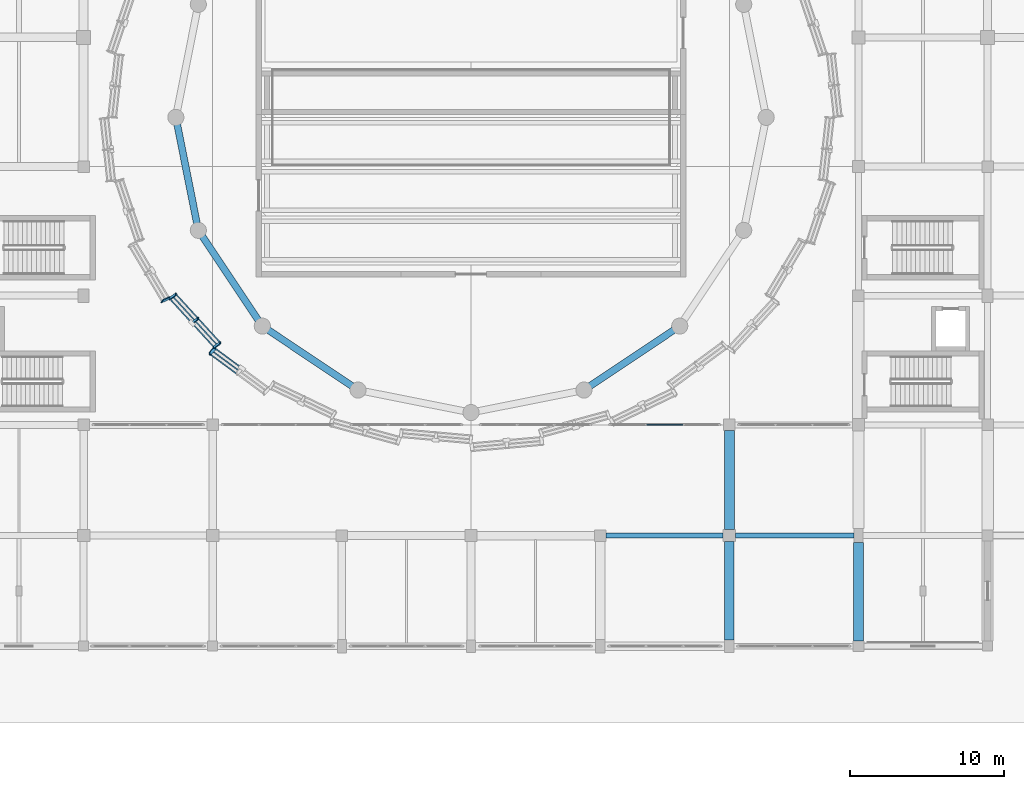
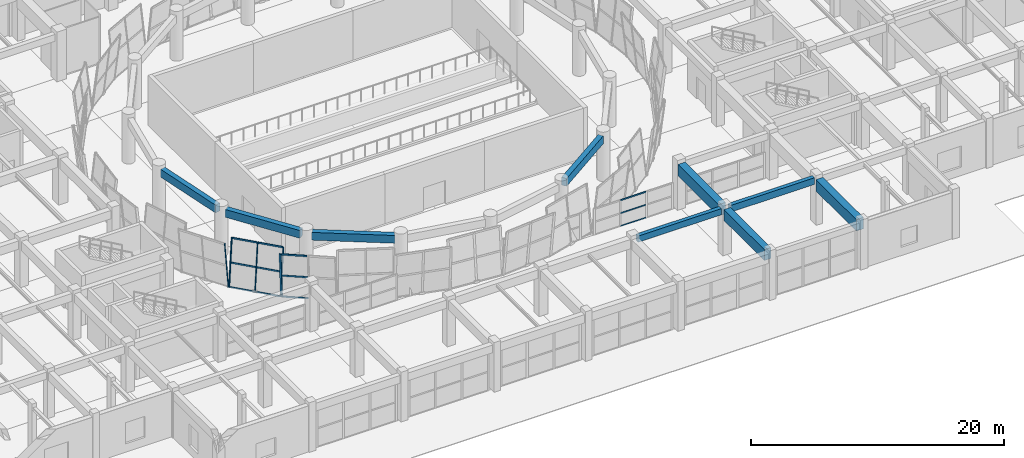
# One storey, part 24 of 72: 17 members, 9 beams, 4 elements without a shape of their own.
"""IFC4 building model written with IfcOpenShell, lengths in metres."""

from ifc_helpers import new_model, si_unit, direction, frame, origin, origin_2d, place, context, subcontext, project, spatial, rectangle, hollow_rectangle, extrude, material, material_profile, profile_set, type_object, element, aggregate, save


model = new_model("IFC4")

# Units and contexts
model_context = context("Model", 3, precision=1e-05, world=origin(), true_north=direction((0.0, 1.0)))
body_context = subcontext(model_context, "Body", "Model", "MODEL_VIEW")
ifc_project = project(units=[si_unit("LENGTHUNIT", "METRE"), si_unit("AREAUNIT", "SQUARE_METRE"), si_unit("VOLUMEUNIT", "CUBIC_METRE"), si_unit("PLANEANGLEUNIT", "RADIAN"), si_unit("MASSUNIT", "GRAM", prefix="KILO")], contexts=[model_context])

# Site, building, storey
site_placement = place(None, origin())
site = spatial("IfcSite", under=ifc_project, at=site_placement, CompositionType="ELEMENT")
building_placement = place(site_placement, origin())
building = spatial("IfcBuilding", under=site, at=building_placement, Name="Korsvaeld Concert Hall", CompositionType="ELEMENT")
storey_placement = place(building_placement, origin())
storey = spatial("IfcBuildingStorey", under=building, at=storey_placement, Name="L00", CompositionType="ELEMENT", Elevation=0.0)

# Beams
ifc_material_1 = material(Name="Concrete C35/45", Category="concrete")
ifc_material_profile_1 = material_profile(ifc_material_1, rectangle(XDim=0.35009765625, YDim=0.60009765625, at=origin_2d()), Name="RC 350x600")
ifc_profile_set_1 = profile_set([ifc_material_profile_1], Name="Concrete C35/45")
beam_type_1 = type_object("IfcBeamType", Name="BM-RC-350x600", PredefinedType="T_BEAM", material=ifc_profile_set_1)
beam_1_placement = place(storey_placement, frame((92.77490234375, 36.0, 4.139892578125), z_axis=(1.0, 0.0, 0.0), x_axis=(0.0, 1.0, 0.0)))
element("IfcBeam", 1, at=beam_1_placement, inside=storey, type_object=beam_type_1, Name="Primary girder 13-14/F L00", PredefinedType="T_BEAM", context=body_context, shape_type="SweptSolid", body=[
    extrude(rectangle(XDim=0.35009765625, YDim=0.60009765625, at=origin_2d()), origin(), (0.0, 0.0, 1.0), 7.625),
])
ifc_material_profile_2 = material_profile(ifc_material_1, rectangle(XDim=0.35009765625, YDim=0.64990234375, at=origin_2d()), Name="RC 350x650")
ifc_profile_set_2 = profile_set([ifc_material_profile_2], Name="Concrete C35/45")
beam_type_2 = type_object("IfcBeamType", Name="BM-RC-350x650", PredefinedType="T_BEAM", material=ifc_profile_set_2)
beam_2_placement = place(storey_placement, frame((101.199951171875, 36.0, 4.114990234375), z_axis=(1.0, 0.0, 0.0), x_axis=(0.0, 1.0, 0.0)))
element("IfcBeam", 2, at=beam_2_placement, inside=storey, type_object=beam_type_2, Name="Primary girder 14-15/F L00", PredefinedType="T_BEAM", context=body_context, shape_type="SweptSolid", body=[
    extrude(rectangle(XDim=0.35009765625, YDim=0.64990234375, at=origin_2d()), origin(), (0.0, 0.0, 1.0), 7.699951171875),
])
ifc_material_profile_3 = material_profile(ifc_material_1, rectangle(XDim=0.449951171875, YDim=0.75, at=origin_2d()), Name="RC 450x750")
ifc_profile_set_3 = profile_set([ifc_material_profile_3], Name="Concrete C35/45")
beam_type_3 = type_object("IfcBeamType", Name="BM-RC-450x750", PredefinedType="T_BEAM", material=ifc_profile_set_3)
for number, where, z_axis, x_axis, name in (
    (3, (64.8876953125, 62.758544921875, 4.06494140625), (0.195090301499, -0.980785284484, 0.0), (0.980785284484, 0.195090301499, 0.0), "Drum ring floor girder L00 09"),
    (4, (66.511474609375, 55.478271484375, 4.06494140625), (0.555588821765, -0.831457191399, 0.0), (0.831457191399, 0.555588821765, 0.0), "Drum ring floor girder L00 10"),
):
    element("IfcBeam", number, at=place(storey_placement, frame(where, z_axis=z_axis, x_axis=x_axis)), inside=storey, type_object=beam_type_3, Name=name, PredefinedType="T_BEAM", context=body_context, shape_type="SweptSolid", body=[
        extrude(rectangle(XDim=0.449951171875, YDim=0.75, at=origin_2d()), origin(), (0.0, 0.0, 1.0), 6.59130859375),
    ])
for number, where, z_axis, x_axis, name in (
    (5, (70.797607421875, 49.37353515625, 4.06494140625), (0.831468624109, -0.555571711953, 0.0), (0.555571711953, 0.831468624109, 0.0), "Drum ring floor girder L00 11"),
    (6, (91.7216796875, 45.71142578125, 4.06494140625), (0.831468624109, 0.555571711953, 0.0), (-0.555571711953, 0.831468624109, 0.0), "Drum ring floor girder L00 14"),
):
    element("IfcBeam", number, at=place(storey_placement, frame(where, z_axis=z_axis, x_axis=x_axis)), inside=storey, type_object=beam_type_3, Name=name, PredefinedType="T_BEAM", context=body_context, shape_type="SweptSolid", body=[
        extrude(rectangle(XDim=0.449951171875, YDim=0.75, at=origin_2d()), origin(), (0.0, 0.0, 1.0), 6.591552734375),
    ])
ifc_material_2 = material(Name="Concrete C40/50", Category="concrete")
ifc_material_profile_4 = material_profile(ifc_material_2, rectangle(XDim=0.60009765625, YDim=1.050048828125, at=origin_2d()), Name="RC 600x1050")
ifc_profile_set_4 = profile_set([ifc_material_profile_4], Name="Concrete C40/50")
beam_type_4 = type_object("IfcBeamType", Name="BM-RC-600x1050", PredefinedType="T_BEAM", material=ifc_profile_set_4)
beam_3_placement = place(storey_placement, frame((100.800048828125, 29.199951171875, 3.9150390625), z_axis=(0.0, 1.0, 0.0), x_axis=(-1.0, 0.0, 0.0)))
element("IfcBeam", 7, at=beam_3_placement, inside=storey, type_object=beam_type_4, Name="Primary girder 14/E-F L00", PredefinedType="T_BEAM", context=body_context, shape_type="SweptSolid", body=[
    extrude(rectangle(XDim=0.60009765625, YDim=1.050048828125, at=origin_2d()), origin(), (0.0, 0.0, 1.0), 6.400146484375),
])
ifc_material_profile_5 = material_profile(ifc_material_2, rectangle(XDim=0.64990234375, YDim=1.10009765625, at=origin_2d()), Name="RC 650x1100")
ifc_profile_set_5 = profile_set([ifc_material_profile_5], Name="Concrete C40/50")
beam_type_5 = type_object("IfcBeamType", Name="BM-RC-650x1100", PredefinedType="T_BEAM", material=ifc_profile_set_5)
beam_4_placement = place(storey_placement, frame((100.800048828125, 36.39990234375, 3.889892578125), z_axis=(0.0, 1.0, 0.0), x_axis=(-1.0, 0.0, 0.0)))
element("IfcBeam", 8, at=beam_4_placement, inside=storey, type_object=beam_type_5, Name="Primary girder 14/F-G L00", PredefinedType="T_BEAM", context=body_context, shape_type="SweptSolid", body=[
    extrude(rectangle(XDim=0.64990234375, YDim=1.10009765625, at=origin_2d()), origin(), (0.0, 0.0, 1.0), 6.425048828125),
])
beam_5_placement = place(storey_placement, frame((109.199951171875, 29.14990234375, 3.889892578125), z_axis=(0.0, 1.0, 0.0), x_axis=(-1.0, 0.0, 0.0)))
element("IfcBeam", 9, at=beam_5_placement, inside=storey, type_object=beam_type_5, Name="Primary girder 15/E-F L00", PredefinedType="T_BEAM", context=body_context, shape_type="SweptSolid", body=[
    extrude(rectangle(XDim=0.64990234375, YDim=1.10009765625, at=origin_2d()), origin(), (0.0, 0.0, 1.0), 6.400146484375),
])

# Curtain wall, members
ifc_material_3 = material(Name="Anodised bronze and ceramic-fritted safety glass", Category="glass")
curtain_wall_type_1 = type_object("IfcCurtainWallType", Name="CW-TYPE-04", PredefinedType="USERDEFINED", material=ifc_material_3)
curtain_wall_1_placement = place(storey_placement, origin())
curtain_wall_1 = element("IfcCurtainWall", 10, at=curtain_wall_1_placement, inside=storey, type_object=curtain_wall_type_1, Name="Crystal curtain-wall facet L00 F20", ObjectType="CURTAIN WALL", PredefinedType="USERDEFINED")
ifc_material_4 = material(Name="Anodised architectural bronze aluminium", Category="aluminium")
ifc_material_profile_6 = material_profile(ifc_material_4, hollow_rectangle(XDim=0.074951171875, YDim=0.179931640625, WallThickness=0.0048828125, at=origin_2d()), Name="CWM 180x75x5")
ifc_profile_set_6 = profile_set([ifc_material_profile_6], Name="Anodised architectural bronze aluminium")
member_type_1 = type_object("IfcMemberType", Name="CWM-BRONZE-180x75", PredefinedType="MULLION", material=ifc_profile_set_6)
member_1_placement = place(storey_placement, frame((64.402587890625, 51.394287109375, 0.0), z_axis=(0.09112718909, 0.06714065031, 0.993573333219), x_axis=(-0.977453652229, 0.196864681131, 0.076345628997)))
member_1 = element("IfcMember", 11, at=member_1_placement, type_object=member_type_1, Name="CW-CRYS-L00-F20 crystal mullion 1", PredefinedType="MULLION", context=body_context, shape_type="SweptSolid", body=[
    extrude(hollow_rectangle(XDim=0.074951171875, YDim=0.179931640625, WallThickness=0.0048828125, at=origin_2d()), origin(), (0.0, 0.0, 1.0), 4.509033203125),
])
member_2_placement = place(storey_placement, frame((65.8447265625, 49.815673828125, 0.0), z_axis=(0.09112718909, 0.06714065031, 0.993573333219), x_axis=(-0.977453652229, 0.196864681131, 0.076345628997)))
member_2 = element("IfcMember", 12, at=member_2_placement, type_object=member_type_1, Name="CW-CRYS-L00-F20 crystal mullion 2", PredefinedType="MULLION", context=body_context, shape_type="SweptSolid", body=[
    extrude(hollow_rectangle(XDim=0.074951171875, YDim=0.179931640625, WallThickness=0.0048828125, at=origin_2d()), origin(), (0.0, 0.0, 1.0), 4.509033203125),
])
member_3_placement = place(storey_placement, frame((67.287109375, 48.237060546875, 0.0), z_axis=(0.091073492642, 0.067140981496, 0.993578234233), x_axis=(-0.977512154929, 0.196585255161, 0.076316606441)))
member_3 = element("IfcMember", 13, at=member_3_placement, type_object=member_type_1, Name="CW-CRYS-L00-F20 crystal mullion 3", PredefinedType="MULLION", context=body_context, shape_type="SweptSolid", body=[
    extrude(hollow_rectangle(XDim=0.074951171875, YDim=0.179931640625, WallThickness=0.0048828125, at=origin_2d()), origin(), (0.0, 0.0, 1.0), 4.509033203125),
])

# Curtain wall, member
curtain_wall_type_2 = type_object("IfcCurtainWallType", Name="CW-TYPE-03", PredefinedType="USERDEFINED", material=ifc_material_3)
curtain_wall_2_placement = place(storey_placement, origin())
curtain_wall_2 = element("IfcCurtainWall", 14, at=curtain_wall_2_placement, inside=storey, type_object=curtain_wall_type_2, Name="Crystal curtain-wall facet L00 F19", ObjectType="CURTAIN WALL", PredefinedType="USERDEFINED")
ifc_material_profile_7 = material_profile(ifc_material_4, hollow_rectangle(XDim=0.074951171875, YDim=0.219970703125, WallThickness=0.006103515625, at=origin_2d()), Name="CWM 220x75x6")
ifc_profile_set_7 = profile_set([ifc_material_profile_7], Name="Anodised architectural bronze aluminium")
member_type_2 = type_object("IfcMemberType", Name="CWM-BRONZE-220x75", PredefinedType="MULLION", material=ifc_profile_set_7)
member_4_placement = place(storey_placement, frame((64.358154296875, 51.4541015625, 0.0), z_axis=(-0.102064294294, -0.049001690364, 0.993570185831), x_axis=(0.829955472375, -0.554817257188, 0.057894084342)))
member_4 = element("IfcMember", 15, at=member_4_placement, type_object=member_type_2, Name="CW-CRYS-L00-F19 crystal mullion 3", PredefinedType="MULLION", context=body_context, shape_type="SweptSolid", body=[
    extrude(hollow_rectangle(XDim=0.074951171875, YDim=0.219970703125, WallThickness=0.006103515625, at=origin_2d()), origin(), (0.0, 0.0, 1.0), 4.509033203125),
])
aggregate(curtain_wall_2, [member_4])

curtain_wall_type_3 = type_object("IfcCurtainWallType", Name="CW-TYPE-05", PredefinedType="USERDEFINED", material=ifc_material_3)
curtain_wall_3_placement = place(storey_placement, origin())
curtain_wall_3 = element("IfcCurtainWall", 16, at=curtain_wall_3_placement, inside=storey, type_object=curtain_wall_type_3, Name="Crystal curtain-wall facet L00 F21", ObjectType="CURTAIN WALL", PredefinedType="USERDEFINED")
member_5_placement = place(storey_placement, frame((67.342529296875, 48.18701171875, 0.0), z_axis=(-0.076345544466, -0.083546932703, 0.993574993584), x_axis=(0.977534797756, 0.190071839955, 0.091095635634)))
member_5 = element("IfcMember", 17, at=member_5_placement, type_object=member_type_2, Name="CW-CRYS-L00-F21 crystal mullion 1", PredefinedType="MULLION", context=body_context, shape_type="SweptSolid", body=[
    extrude(hollow_rectangle(XDim=0.074951171875, YDim=0.219970703125, WallThickness=0.006103515625, at=origin_2d()), origin(), (0.0, 0.0, 1.0), 4.509033203125),
])

# Curtain wall, members
curtain_wall_type_4 = type_object("IfcCurtainWallType", Name="CW-TYPE-15", PredefinedType="USERDEFINED", material=ifc_material_3)
curtain_wall_4_placement = place(storey_placement, origin())
curtain_wall_4 = element("IfcCurtainWall", 18, at=curtain_wall_4_placement, inside=storey, type_object=curtain_wall_type_4, Name="Glazed foyer acoustic screen L00-23", ObjectType="CURTAIN WALL", PredefinedType="USERDEFINED")
ifc_material_profile_8 = material_profile(ifc_material_4, hollow_rectangle(XDim=0.06005859375, YDim=0.1201171875, WallThickness=0.00390625, at=origin_2d()), Name="CWT 120x60x4")
ifc_profile_set_8 = profile_set([ifc_material_profile_8], Name="Anodised architectural bronze aluminium")
member_type_3 = type_object("IfcMemberType", Name="CWT-ALUM-120x60", PredefinedType="USERDEFINED", material=ifc_profile_set_8)
member_6_placement = place(storey_placement, frame((95.429931640625, 43.199951171875, 0.030029296875), z_axis=(1.0, 0.0, 0.0), x_axis=(0.0, 1.0, 0.0)))
member_6 = element("IfcMember", 19, at=member_6_placement, type_object=member_type_3, Name="CW-15 transom 2.1", ObjectType="TRANSOM", PredefinedType="USERDEFINED", context=body_context, shape_type="SweptSolid", body=[
    extrude(hollow_rectangle(XDim=0.06005859375, YDim=0.1201171875, WallThickness=0.00390625, at=origin_2d()), origin(), (0.0, 0.0, 1.0), 2.340087890625),
])
member_7_placement = place(storey_placement, frame((95.429931640625, 43.199951171875, 1.27490234375), z_axis=(1.0, 0.0, 0.0), x_axis=(0.0, 1.0, 0.0)))
member_7 = element("IfcMember", 20, at=member_7_placement, type_object=member_type_3, Name="CW-15 transom 2.2", ObjectType="TRANSOM", PredefinedType="USERDEFINED", context=body_context, shape_type="SweptSolid", body=[
    extrude(hollow_rectangle(XDim=0.06005859375, YDim=0.1201171875, WallThickness=0.00390625, at=origin_2d()), origin(), (0.0, 0.0, 1.0), 2.340087890625),
])
member_8_placement = place(storey_placement, frame((95.429931640625, 43.199951171875, 2.52001953125), z_axis=(1.0, 0.0, 0.0), x_axis=(0.0, 1.0, 0.0)))
member_8 = element("IfcMember", 21, at=member_8_placement, type_object=member_type_3, Name="CW-15 transom 2.3", ObjectType="TRANSOM", PredefinedType="USERDEFINED", context=body_context, shape_type="SweptSolid", body=[
    extrude(hollow_rectangle(XDim=0.06005859375, YDim=0.1201171875, WallThickness=0.00390625, at=origin_2d()), origin(), (0.0, 0.0, 1.0), 2.340087890625),
])
aggregate(curtain_wall_4, [member_6, member_7, member_8])

# Member
ifc_material_profile_9 = material_profile(ifc_material_4, hollow_rectangle(XDim=0.074951171875, YDim=0.14990234375, WallThickness=0.0048828125, at=origin_2d()), Name="CWT 150x75x5")
ifc_profile_set_9 = profile_set([ifc_material_profile_9], Name="Anodised architectural bronze aluminium")
member_type_4 = type_object("IfcMemberType", Name="CWT-BRONZE-150x75", PredefinedType="USERDEFINED", material=ifc_profile_set_9)
member_9_placement = place(storey_placement, frame((64.4306640625, 51.36865234375, 0.030029296875), z_axis=(0.674437681465, -0.738331777604, 0.0), x_axis=(0.738331777604, 0.674437681465, 0.0)))
member_9 = element("IfcMember", 22, at=member_9_placement, type_object=member_type_4, Name="CW-CRYS-L00-F20 crystal transom 1.1", ObjectType="TRANSOM", PredefinedType="USERDEFINED", context=body_context, shape_type="SweptSolid", body=[
    extrude(hollow_rectangle(XDim=0.074951171875, YDim=0.14990234375, WallThickness=0.0048828125, at=origin_2d()), origin(), (0.0, 0.0, 1.0), 2.063232421875),
])

member_10_placement = place(storey_placement, frame((64.63330078125, 51.51806640625, 2.239990234375), z_axis=(0.674437681465, -0.738331777604, 0.0), x_axis=(0.738331777604, 0.674437681465, 0.0)))
member_10 = element("IfcMember", 23, at=member_10_placement, type_object=member_type_4, Name="CW-CRYS-L00-F20 crystal transom 1.2", ObjectType="TRANSOM", PredefinedType="USERDEFINED", context=body_context, shape_type="SweptSolid", body=[
    extrude(hollow_rectangle(XDim=0.074951171875, YDim=0.14990234375, WallThickness=0.0048828125, at=origin_2d()), origin(), (0.0, 0.0, 1.0), 2.063232421875),
])

member_11_placement = place(storey_placement, frame((64.8359375, 51.66748046875, 4.449951171875), z_axis=(0.674437681465, -0.738331777604, 0.0), x_axis=(0.738331777604, 0.674437681465, 0.0)))
member_11 = element("IfcMember", 24, at=member_11_placement, type_object=member_type_4, Name="CW-CRYS-L00-F20 crystal transom 1.3", ObjectType="TRANSOM", PredefinedType="USERDEFINED", context=body_context, shape_type="SweptSolid", body=[
    extrude(hollow_rectangle(XDim=0.074951171875, YDim=0.14990234375, WallThickness=0.0048828125, at=origin_2d()), origin(), (0.0, 0.0, 1.0), 2.063232421875),
])

member_12_placement = place(storey_placement, frame((65.872802734375, 49.7900390625, 0.030029296875), z_axis=(0.674437681465, -0.738331777604, 0.0), x_axis=(0.738331777604, 0.674437681465, 0.0)))
member_12 = element("IfcMember", 25, at=member_12_placement, type_object=member_type_4, Name="CW-CRYS-L00-F20 crystal transom 2.1", ObjectType="TRANSOM", PredefinedType="USERDEFINED", context=body_context, shape_type="SweptSolid", body=[
    extrude(hollow_rectangle(XDim=0.074951171875, YDim=0.14990234375, WallThickness=0.0048828125, at=origin_2d()), origin(), (0.0, 0.0, 1.0), 2.063232421875),
])

member_13_placement = place(storey_placement, frame((66.075439453125, 49.939453125, 2.239990234375), z_axis=(0.674437681465, -0.738331777604, 0.0), x_axis=(0.738331777604, 0.674437681465, 0.0)))
member_13 = element("IfcMember", 26, at=member_13_placement, type_object=member_type_4, Name="CW-CRYS-L00-F20 crystal transom 2.2", ObjectType="TRANSOM", PredefinedType="USERDEFINED", context=body_context, shape_type="SweptSolid", body=[
    extrude(hollow_rectangle(XDim=0.074951171875, YDim=0.14990234375, WallThickness=0.0048828125, at=origin_2d()), origin(), (0.0, 0.0, 1.0), 2.063232421875),
])

member_14_placement = place(storey_placement, frame((66.278076171875, 50.0888671875, 4.449951171875), z_axis=(0.674502175286, -0.738272859812, 0.0), x_axis=(0.738272859812, 0.674502175286, 0.0)))
member_14 = element("IfcMember", 27, at=member_14_placement, type_object=member_type_4, Name="CW-CRYS-L00-F20 crystal transom 2.3", ObjectType="TRANSOM", PredefinedType="USERDEFINED", context=body_context, shape_type="SweptSolid", body=[
    extrude(hollow_rectangle(XDim=0.074951171875, YDim=0.14990234375, WallThickness=0.0048828125, at=origin_2d()), origin(), (0.0, 0.0, 1.0), 2.0634765625),
])

aggregate(curtain_wall_1, [member_1, member_2, member_3, member_9, member_10, member_11, member_12, member_13, member_14])

member_15_placement = place(storey_placement, frame((67.370361328125, 48.162353515625, 0.030029296875), z_axis=(0.804904507896, -0.593404358906, 0.0), x_axis=(0.593404358906, 0.804904507896, 0.0)))
member_15 = element("IfcMember", 28, at=member_15_placement, type_object=member_type_4, Name="CW-CRYS-L00-F21 crystal transom 1.1", ObjectType="TRANSOM", PredefinedType="USERDEFINED", context=body_context, shape_type="SweptSolid", body=[
    extrude(hollow_rectangle(XDim=0.074951171875, YDim=0.14990234375, WallThickness=0.0048828125, at=origin_2d()), origin(), (0.0, 0.0, 1.0), 2.10888671875),
])

member_16_placement = place(storey_placement, frame((67.200439453125, 47.976318359375, 2.239990234375), z_axis=(0.804945265899, -0.593349070031, 0.0), x_axis=(0.593349070031, 0.804945265899, 0.0)))
member_16 = element("IfcMember", 29, at=member_16_placement, type_object=member_type_4, Name="CW-CRYS-L00-F21 crystal transom 1.2", ObjectType="TRANSOM", PredefinedType="USERDEFINED", context=body_context, shape_type="SweptSolid", body=[
    extrude(hollow_rectangle(XDim=0.074951171875, YDim=0.14990234375, WallThickness=0.0048828125, at=origin_2d()), origin(), (0.0, 0.0, 1.0), 2.109130859375),
])

member_17_placement = place(storey_placement, frame((67.03076171875, 47.79052734375, 4.449951171875), z_axis=(0.804904507896, -0.593404358906, 0.0), x_axis=(0.593404358906, 0.804904507896, 0.0)))
member_17 = element("IfcMember", 30, at=member_17_placement, type_object=member_type_4, Name="CW-CRYS-L00-F21 crystal transom 1.3", ObjectType="TRANSOM", PredefinedType="USERDEFINED", context=body_context, shape_type="SweptSolid", body=[
    extrude(hollow_rectangle(XDim=0.074951171875, YDim=0.14990234375, WallThickness=0.0048828125, at=origin_2d()), origin(), (0.0, 0.0, 1.0), 2.10888671875),
])

aggregate(curtain_wall_3, [member_5, member_15, member_16, member_17])

save(model, "model.ifc")
